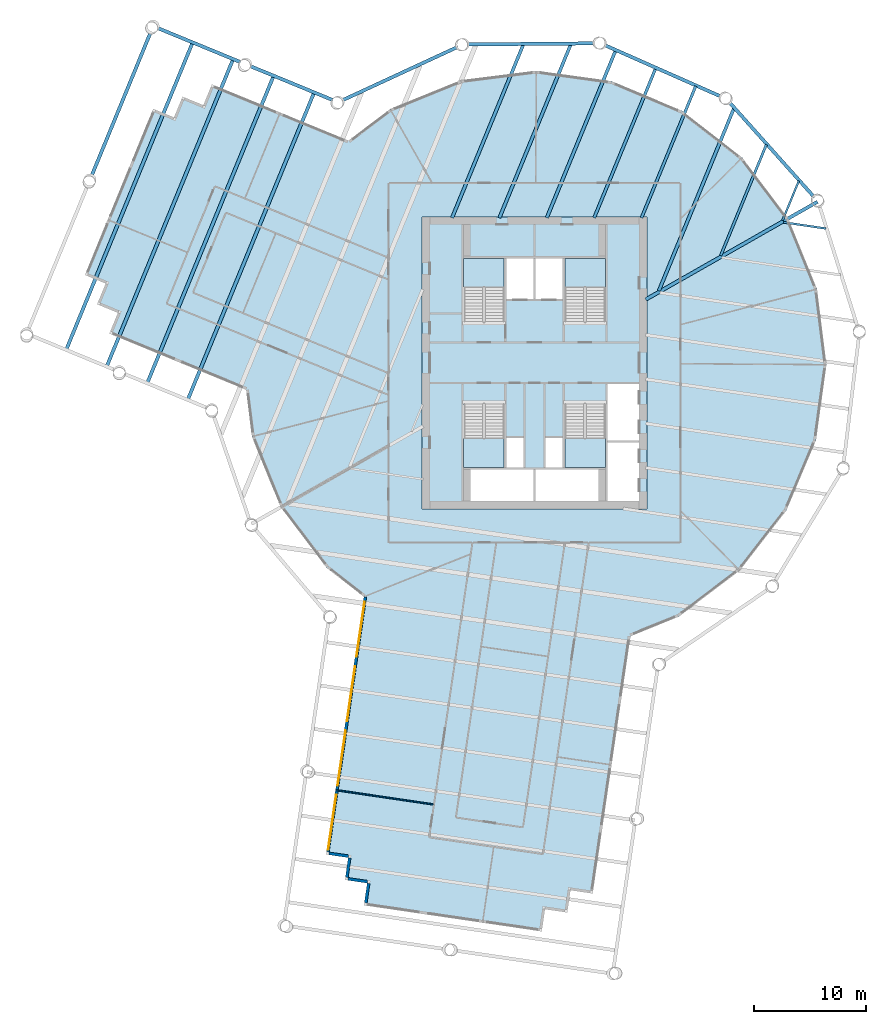
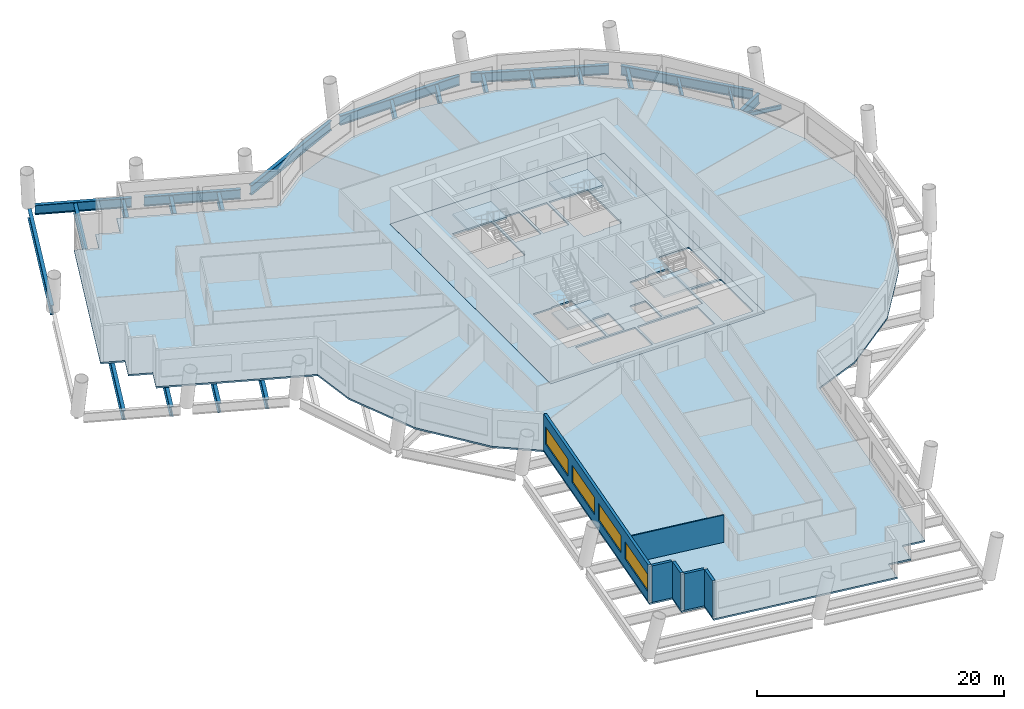
# One storey, part 2 of 11: 21 beams, 6 slabs, 6 walls, 4 windows, 4 openings, 4 elements without a shape of their own.
"""IFC4 building model written with IfcOpenShell, lengths in metres."""

from ifc_helpers import new_model, si_unit, direction, frame, frame_2d, origin, origin_2d, place, context, subcontext, project, spatial, polyline, rectangle, i_section, outline, extrude, material, layer, layer_set, material_profile, profile_set, type_object, element, fill, aggregate, save


model = new_model("IFC4")

# Units and contexts
model_context = context("Model", 3, precision=1e-05, world=origin(), true_north=direction((0.0, 1.0)))
body_context = subcontext(model_context, "Body", "Model", "MODEL_VIEW")
ifc_project = project(units=[si_unit("LENGTHUNIT", "METRE"), si_unit("AREAUNIT", "SQUARE_METRE"), si_unit("VOLUMEUNIT", "CUBIC_METRE"), si_unit("PLANEANGLEUNIT", "RADIAN"), si_unit("MASSUNIT", "GRAM", prefix="KILO")], contexts=[model_context])

# Site, building, storey
site_placement = place(None, origin())
site = spatial("IfcSite", under=ifc_project, at=site_placement, CompositionType="ELEMENT")
building_placement = place(site_placement, origin())
building = spatial("IfcBuilding", under=site, at=building_placement, Name="Tarsis Ring Headquarters", CompositionType="ELEMENT")
storey_placement = place(building_placement, frame((0.0, 0.0, 190.5)))
storey = spatial("IfcBuildingStorey", under=building, at=storey_placement, Name="L44", CompositionType="ELEMENT", Elevation=190.5)

# Beams
ifc_material_1 = material(Name="Structural steel S355", Category="steel")
ifc_material_profile_1 = material_profile(ifc_material_1, i_section(OverallWidth=0.177734375, OverallDepth=0.406494140625, WebThickness=0.0078125, FlangeThickness=0.0126953125, at=origin_2d()), Name="W16x40")
ifc_profile_set_1 = profile_set([ifc_material_profile_1], Name="Structural steel S355")
beam_type_1 = type_object("IfcBeamType", Name="FB Floor beam W16x40", PredefinedType="JOIST", material=ifc_profile_set_1)
beam_1_placement = place(storey_placement, frame((22.173095703125, 12.509033203125, -0.36328125), z_axis=(0.989375698039, -0.145381319743, 0.0), x_axis=(0.145381319743, 0.989375698039, 0.0)))
element("IfcBeam", 1, at=beam_1_placement, inside=storey, type_object=beam_type_1, Name="Floor beam FB1", PredefinedType="JOIST", context=body_context, shape_type="SweptSolid", body=[
    extrude(i_section(OverallWidth=0.177734375, OverallDepth=0.406494140625, WebThickness=0.0078125, FlangeThickness=0.0126953125, at=origin_2d()), origin(), (0.0, 0.0, 1.0), 3.805419921875),
])
beam_2_placement = place(storey_placement, frame((23.5283203125, 16.1904296875, -0.36328125), z_axis=(-0.380410940943, -0.92481755823, 0.0), x_axis=(0.92481755823, -0.380410940943, 0.0)))
element("IfcBeam", 2, at=beam_2_placement, inside=storey, type_object=beam_type_1, Name="Floor beam FB1", PredefinedType="JOIST", context=body_context, shape_type="SweptSolid", body=[
    extrude(i_section(OverallWidth=0.177734375, OverallDepth=0.406494140625, WebThickness=0.0078125, FlangeThickness=0.0126953125, at=origin_2d()), origin(), (0.0, 0.0, 1.0), 3.80517578125),
])
ifc_material_profile_2 = material_profile(ifc_material_1, i_section(OverallWidth=0.228271484375, OverallDepth=0.607177734375, WebThickness=0.01123046875, FlangeThickness=0.017333984375, at=origin_2d()), Name="W24x76")
ifc_profile_set_2 = profile_set([ifc_material_profile_2], Name="Structural steel S355")
beam_type_2 = type_object("IfcBeamType", Name="FB Floor beam W24x76", PredefinedType="JOIST", material=ifc_profile_set_2)
beam_3_placement = place(storey_placement, frame((20.6396484375, 19.419921875, -0.463623046875), z_axis=(-0.38042224854, -0.924812906925, 0.0), x_axis=(0.924812906925, -0.38042224854, 0.0)))
element("IfcBeam", 3, at=beam_3_placement, inside=storey, type_object=beam_type_2, Name="Floor beam FB4", PredefinedType="JOIST", context=body_context, shape_type="SweptSolid", body=[
    extrude(i_section(OverallWidth=0.228271484375, OverallDepth=0.607177734375, WebThickness=0.01123046875, FlangeThickness=0.017333984375, at=origin_2d()), origin(), (0.0, 0.0, 1.0), 10.684814453125),
])
ifc_material_profile_3 = material_profile(ifc_material_1, i_section(OverallWidth=0.2529296875, OverallDepth=0.67822265625, WebThickness=0.01171875, FlangeThickness=0.016357421875, at=origin_2d()), Name="W27x84")
ifc_profile_set_3 = profile_set([ifc_material_profile_3], Name="Structural steel S355")
beam_type_3 = type_object("IfcBeamType", Name="FB Floor beam W27x84", PredefinedType="JOIST", material=ifc_profile_set_3)
beam_4_placement = place(storey_placement, frame((14.353271484375, 24.641357421875, -0.4990234375), z_axis=(-0.380416857615, -0.924815124467, 0.0), x_axis=(0.924815124467, -0.380416857615, 0.0)))
element("IfcBeam", 4, at=beam_4_placement, inside=storey, type_object=beam_type_3, Name="Floor beam FB5", PredefinedType="JOIST", context=body_context, shape_type="SweptSolid", body=[
    extrude(i_section(OverallWidth=0.2529296875, OverallDepth=0.67822265625, WebThickness=0.01171875, FlangeThickness=0.016357421875, at=origin_2d()), origin(), (0.0, 0.0, 1.0), 12.687744140625),
])
ifc_material_profile_4 = material_profile(ifc_material_1, i_section(OverallWidth=0.2666015625, OverallDepth=0.7568359375, WebThickness=0.013916015625, FlangeThickness=0.019287109375, at=origin_2d()), Name="W30x108")
ifc_profile_set_4 = profile_set([ifc_material_profile_4], Name="Structural steel S355")
beam_type_4 = type_object("IfcBeamType", Name="FB Floor beam W30x108", PredefinedType="JOIST", material=ifc_profile_set_4)
beam_5_placement = place(storey_placement, frame((10.78515625, 26.218505859375, -0.538330078125), z_axis=(-0.380427300344, -0.924810828847, 0.0), x_axis=(0.924810828847, -0.380427300344, 0.0)))
element("IfcBeam", 5, at=beam_5_placement, inside=storey, type_object=beam_type_4, Name="Floor beam FB6", PredefinedType="JOIST", context=body_context, shape_type="SweptSolid", body=[
    extrude(i_section(OverallWidth=0.2666015625, OverallDepth=0.7568359375, WebThickness=0.013916015625, FlangeThickness=0.019287109375, at=origin_2d()), origin(), (0.0, 0.0, 1.0), 14.393310546875),
])
ifc_material_profile_5 = material_profile(ifc_material_1, i_section(OverallWidth=0.2919921875, OverallDepth=0.835693359375, WebThickness=0.013916015625, FlangeThickness=0.018798828125, at=origin_2d()), Name="W33x118")
ifc_profile_set_5 = profile_set([ifc_material_profile_5], Name="Structural steel S355")
beam_type_5 = type_object("IfcBeamType", Name="FB Floor beam W33x118", PredefinedType="JOIST", material=ifc_profile_set_5)
beam_6_placement = place(storey_placement, frame((17.7509765625, 22.6494140625, -0.577880859375), z_axis=(-0.3804128099, -0.924816789458, 0.0), x_axis=(0.924816789458, -0.3804128099, 0.0)))
element("IfcBeam", 6, at=beam_6_placement, inside=storey, type_object=beam_type_5, Name="Floor beam FB7", PredefinedType="JOIST", context=body_context, shape_type="SweptSolid", body=[
    extrude(i_section(OverallWidth=0.2919921875, OverallDepth=0.835693359375, WebThickness=0.013916015625, FlangeThickness=0.018798828125, at=origin_2d()), origin(), (0.0, 0.0, 1.0), 17.564208984375),
])
beam_7_placement = place(storey_placement, frame((7.216796875, 27.795654296875, -0.577880859375), z_axis=(-0.380422560034, -0.924812778792, 0.0), x_axis=(0.924812778792, -0.380422560034, 0.0)))
element("IfcBeam", 7, at=beam_7_placement, inside=storey, type_object=beam_type_5, Name="Floor beam FB7", PredefinedType="JOIST", context=body_context, shape_type="SweptSolid", body=[
    extrude(i_section(OverallWidth=0.2919921875, OverallDepth=0.835693359375, WebThickness=0.013916015625, FlangeThickness=0.018798828125, at=origin_2d()), origin(), (0.0, 0.0, 1.0), 16.0986328125),
])
beam_8_placement = place(storey_placement, frame((3.232666015625, 28.36181640625, -0.577880859375), z_axis=(-0.380423525743, -0.924812381546, 0.0), x_axis=(0.924812381546, -0.380423525743, 0.0)))
element("IfcBeam", 8, at=beam_8_placement, inside=storey, type_object=beam_type_5, Name="Floor beam FB7", PredefinedType="JOIST", context=body_context, shape_type="SweptSolid", body=[
    extrude(i_section(OverallWidth=0.2919921875, OverallDepth=0.835693359375, WebThickness=0.013916015625, FlangeThickness=0.018798828125, at=origin_2d()), origin(), (0.0, 0.0, 1.0), 16.710693359375),
])
beam_9_placement = place(storey_placement, frame((-0.99951171875, 28.3251953125, -0.577880859375), z_axis=(-0.380419803488, -0.924813912695, 0.0), x_axis=(0.924813912695, -0.380419803488, 0.0)))
element("IfcBeam", 9, at=beam_9_placement, inside=storey, type_object=beam_type_5, Name="Floor beam FB7", PredefinedType="JOIST", context=body_context, shape_type="SweptSolid", body=[
    extrude(i_section(OverallWidth=0.2919921875, OverallDepth=0.835693359375, WebThickness=0.013916015625, FlangeThickness=0.018798828125, at=origin_2d()), origin(), (0.0, 0.0, 1.0), 16.671142578125),
])
ifc_material_profile_6 = material_profile(ifc_material_1, i_section(OverallWidth=0.309814453125, OverallDepth=0.949951171875, WebThickness=0.0244140625, FlangeThickness=0.0439453125, at=origin_2d()), Name="W36x256")
ifc_profile_set_6 = profile_set([ifc_material_profile_6], Name="Structural steel S355")
beam_type_6 = type_object("IfcBeamType", Name="FB Floor beam W36x256", PredefinedType="JOIST", material=ifc_profile_set_6)
for number, where, z_axis, x_axis, name in (
    (10, (-19.637939453125, 24.02197265625, -0.635009765625), (-0.380425416232, -0.924811603887, 0.0), (0.924811603887, -0.380425416232, 0.0), "Floor beam FB11"),
    (11, (-23.24462890625, 25.505615234375, -0.635009765625), (-0.380432496824, -0.924808691222, 0.0), (0.924808691222, -0.380432496824, 0.0), "Floor beam FB11"),
    (12, (-26.8515625, 26.9892578125, -0.635009765625), (-0.380425416232, -0.924811603887, 0.0), (0.924811603887, -0.380425416232, 0.0), "Floor beam FB11"),
    (13, (-30.458251953125, 28.472900390625, -0.635009765625), (-0.380425416232, -0.924811603887, 0.0), (0.924811603887, -0.380425416232, 0.0), "Floor beam FB11"),
):
    element("IfcBeam", number, at=place(storey_placement, frame(where, z_axis=z_axis, x_axis=x_axis)), inside=storey, type_object=beam_type_6, Name=name, PredefinedType="JOIST", context=body_context, shape_type="SweptSolid", body=[
        extrude(i_section(OverallWidth=0.309814453125, OverallDepth=0.949951171875, WebThickness=0.0244140625, FlangeThickness=0.0439453125, at=origin_2d()), origin(), (0.0, 0.0, 1.0), 29.489990234375),
    ])
beam_type_7 = type_object("IfcBeamType", Name="FB Floor beam W36x256 spine", PredefinedType="BEAM", material=ifc_profile_set_6)
beam_10_placement = place(storey_placement, frame((25.196533203125, 14.3369140625, -0.635009765625), z_axis=(-0.869150764633, -0.494547215479, 0.0), x_axis=(0.494547215479, -0.869150764633, 0.0)))
element("IfcBeam", 14, at=beam_10_placement, inside=storey, type_object=beam_type_7, Name="Floor beam SB11", PredefinedType="BEAM", context=body_context, shape_type="SweptSolid", body=[
    extrude(i_section(OverallWidth=0.309814453125, OverallDepth=0.949951171875, WebThickness=0.0244140625, FlangeThickness=0.0439453125, at=origin_2d()), origin(), (0.0, 0.0, 1.0), 17.584228515625),
])
beam_type_8 = type_object("IfcBeamType", Name="XG Ring girder W36x256", PredefinedType="BEAM", material=ifc_profile_set_6)
beam_11_placement = place(storey_placement, frame((24.912109375, 14.74072265625, -0.47509765625), z_axis=(-0.666674883327, 0.745348643214, 0.0), x_axis=(-0.745348643214, -0.666674883327, 0.0)))
element("IfcBeam", 15, at=beam_11_placement, inside=storey, type_object=beam_type_8, Name="Ring girder XG2", PredefinedType="BEAM", context=body_context, shape_type="SweptSolid", body=[
    extrude(i_section(OverallWidth=0.309814453125, OverallDepth=0.949951171875, WebThickness=0.0244140625, FlangeThickness=0.0439453125, at=origin_2d()), origin(), (0.0, 0.0, 1.0), 11.242919921875),
])
beam_12_placement = place(storey_placement, frame((16.62158203125, 23.69873046875, -0.47509765625), z_axis=(-0.914635258202, 0.404280032222, 0.0), x_axis=(-0.404280032222, -0.914635258202, 0.0)))
element("IfcBeam", 16, at=beam_12_placement, inside=storey, type_object=beam_type_8, Name="Ring girder XG2", PredefinedType="BEAM", context=body_context, shape_type="SweptSolid", body=[
    extrude(i_section(OverallWidth=0.309814453125, OverallDepth=0.949951171875, WebThickness=0.0244140625, FlangeThickness=0.0439453125, at=origin_2d()), origin(), (0.0, 0.0, 1.0), 11.2431640625),
])
beam_13_placement = place(storey_placement, frame((5.375244140625, 28.443115234375, -0.47509765625), z_axis=(-0.999962463745, -0.008664358032, 0.0), x_axis=(0.008664358032, -0.999962463745, 0.0)))
element("IfcBeam", 17, at=beam_13_placement, inside=storey, type_object=beam_type_8, Name="Ring girder XG2", PredefinedType="BEAM", context=body_context, shape_type="SweptSolid", body=[
    extrude(i_section(OverallWidth=0.309814453125, OverallDepth=0.949951171875, WebThickness=0.0244140625, FlangeThickness=0.0439453125, at=origin_2d()), origin(), (0.0, 0.0, 1.0), 11.242919921875),
])
beam_14_placement = place(storey_placement, frame((-6.826416015625, 28.130126953125, -0.47509765625), z_axis=(-0.907501245344, -0.420049389595, 0.0), x_axis=(0.420049389595, -0.907501245344, 0.0)))
element("IfcBeam", 18, at=beam_14_placement, inside=storey, type_object=beam_type_8, Name="Ring girder XG2", PredefinedType="BEAM", context=body_context, shape_type="SweptSolid", body=[
    extrude(i_section(OverallWidth=0.309814453125, OverallDepth=0.949951171875, WebThickness=0.0244140625, FlangeThickness=0.0439453125, at=origin_2d()), origin(), (0.0, 0.0, 1.0), 11.2431640625),
])
for number, where, z_axis, x_axis, name in (
    (19, (-17.950927734375, 23.387451171875, -0.47509765625), (-0.924816344779, 0.380413890952, 0.0), (-0.380413890952, -0.924816344779, 0.0), "Ring girder XG2"),
    (20, (-26.183837890625, 26.774169921875, -0.47509765625), (-0.924816344779, 0.380413890952, 0.0), (-0.380413890952, -0.924816344779, 0.0), "Ring girder XG2"),
):
    element("IfcBeam", number, at=place(storey_placement, frame(where, z_axis=z_axis, x_axis=x_axis)), inside=storey, type_object=beam_type_8, Name=name, PredefinedType="BEAM", context=body_context, shape_type="SweptSolid", body=[
        extrude(i_section(OverallWidth=0.309814453125, OverallDepth=0.949951171875, WebThickness=0.0244140625, FlangeThickness=0.0439453125, at=origin_2d()), origin(), (0.0, 0.0, 1.0), 7.896484375),
    ])
beam_15_placement = place(storey_placement, frame((-34.14306640625, 29.50439453125, -0.47509765625), z_axis=(-0.380417745164, -0.924814759378, 0.0), x_axis=(0.924814759378, -0.380417745164, 0.0)))
element("IfcBeam", 21, at=beam_15_placement, inside=storey, type_object=beam_type_8, Name="Ring girder XG2", PredefinedType="BEAM", context=body_context, shape_type="SweptSolid", body=[
    extrude(i_section(OverallWidth=0.309814453125, OverallDepth=0.949951171875, WebThickness=0.0244140625, FlangeThickness=0.0439453125, at=origin_2d()), origin(), (0.0, 0.0, 1.0), 13.794189453125),
])

# Slab
ifc_material_2 = material(Name="Concrete C40/50", Category="concrete")
ifc_layer_1 = layer(ifc_material_2, 0.159912109375)
ifc_layer_set_1 = layer_set([ifc_layer_1], Name="Core floor slab 160 C40/50")
slab_type_1 = type_object("IfcSlabType", Name="Core floor slab 160 C40/50", PredefinedType="FLOOR", material=ifc_layer_set_1)
slab_1_placement = place(storey_placement, frame((0.0, 0.0, -0.159912109375)))
element("IfcSlab", 22, at=slab_1_placement, inside=storey, type_object=slab_type_1, Name="L44 core floor slab", PredefinedType="FLOOR", context=body_context, shape_type="SweptSolid", body=[
    extrude(outline(polyline([(-10.0, -13.0), (10.0, -13.0), (10.0, 13.0), (-10.0, 13.0), (-10.0, -13.0)]), holes=[polyline([(-2.5, 5.699951171875), (-0.10009765625, 5.699951171875), (-0.10009765625, 9.300048828125), (-2.5, 9.300048828125), (-2.5, 5.699951171875)]), polyline([(0.10009765625, 5.699951171875), (2.5, 5.699951171875), (2.5, 9.300048828125), (0.10009765625, 9.300048828125), (0.10009765625, 5.699951171875)]), polyline([(6.5, -12.300048828125), (9.300048828125, -12.300048828125), (9.300048828125, -7.10009765625), (6.5, -7.10009765625), (6.5, -12.300048828125)]), polyline([(6.5, -6.89990234375), (9.300048828125, -6.89990234375), (9.300048828125, -1.89990234375), (6.5, -1.89990234375), (6.5, -6.89990234375)]), polyline([(-5.699951171875, -12.300048828125), (-0.10009765625, -12.300048828125), (-0.10009765625, -9.5), (-5.699951171875, -9.5), (-5.699951171875, -12.300048828125)]), polyline([(0.10009765625, -12.300048828125), (5.699951171875, -12.300048828125), (5.699951171875, -9.5), (0.10009765625, -9.5), (0.10009765625, -12.300048828125)]), polyline([(-2.5, -9.300048828125), (-1.0, -9.300048828125), (-1.0, -6.699951171875), (-2.5, -6.699951171875), (-2.5, -9.300048828125)]), polyline([(1.0, -9.300048828125), (2.5, -9.300048828125), (2.5, -6.699951171875), (1.0, -6.699951171875), (1.0, -9.300048828125)]), polyline([(-2.699951171875, 3.760009765625), (-2.699951171875, 9.300048828125), (-6.300048828125, 9.300048828125), (-6.300048828125, 3.659912109375), (-4.4599609375, 3.659912109375), (-4.4599609375, 3.760009765625), (-2.699951171875, 3.760009765625)]), polyline([(6.300048828125, 3.760009765625), (6.300048828125, 9.300048828125), (2.699951171875, 9.300048828125), (2.699951171875, 3.659912109375), (4.5400390625, 3.659912109375), (4.5400390625, 3.760009765625), (6.300048828125, 3.760009765625)]), polyline([(-6.300048828125, -3.760009765625), (-6.300048828125, -9.300048828125), (-2.699951171875, -9.300048828125), (-2.699951171875, -3.659912109375), (-4.5400390625, -3.659912109375), (-4.5400390625, -3.760009765625), (-6.300048828125, -3.760009765625)]), polyline([(2.699951171875, -3.760009765625), (2.699951171875, -9.300048828125), (6.300048828125, -9.300048828125), (6.300048828125, -3.659912109375), (4.4599609375, -3.659912109375), (4.4599609375, -3.760009765625), (2.699951171875, -3.760009765625)])]), origin(), (0.0, 0.0, 1.0), 0.159912109375),
])

# Stair, slab
ifc_material_3 = material(Name="Core stair 1760")
stair_type = type_object("IfcStairType", Name="Core stair 1760", PredefinedType="HALF_TURN_STAIR", material=ifc_material_3)
stair_1_placement = place(storey_placement, origin())
stair_1 = element("IfcStair", 23, at=stair_1_placement, inside=storey, type_object=stair_type, Name="L44 Firefighting stair", PredefinedType="HALF_TURN_STAIR")
ifc_layer_2 = layer(ifc_material_2, 0.199951171875)
ifc_layer_set_2 = layer_set([ifc_layer_2], Name="Core stair landing 200")
slab_type_2 = type_object("IfcSlabType", Name="Core stair landing 200", PredefinedType="LANDING", material=ifc_layer_set_2)
slab_2_placement = place(storey_placement, frame((0.0, 0.0, 1.75)))
slab_2 = element("IfcSlab", 24, at=slab_2_placement, type_object=slab_type_2, Name="Stair ST1 landing 1", PredefinedType="LANDING", context=body_context, shape_type="SweptSolid", body=[
    extrude(outline(polyline([(-2.699951171875, 6.739990234375), (-2.699951171875, 9.300048828125), (-6.300048828125, 9.300048828125), (-6.300048828125, 6.739990234375), (-2.699951171875, 6.739990234375)])), origin(), (0.0, 0.0, 1.0), 0.199951171875),
])
aggregate(stair_1, [slab_2])

stair_2_placement = place(storey_placement, origin())
stair_2 = element("IfcStair", 25, at=stair_2_placement, inside=storey, type_object=stair_type, Name="L44 Exit stair B", PredefinedType="HALF_TURN_STAIR")
slab_3_placement = place(storey_placement, frame((0.0, 0.0, 1.75)))
slab_3 = element("IfcSlab", 26, at=slab_3_placement, type_object=slab_type_2, Name="Stair ST2 landing 1", PredefinedType="LANDING", context=body_context, shape_type="SweptSolid", body=[
    extrude(outline(polyline([(6.300048828125, 6.739990234375), (6.300048828125, 9.300048828125), (2.699951171875, 9.300048828125), (2.699951171875, 6.739990234375), (6.300048828125, 6.739990234375)])), origin(), (0.0, 0.0, 1.0), 0.199951171875),
])
aggregate(stair_2, [slab_3])

stair_3_placement = place(storey_placement, origin())
stair_3 = element("IfcStair", 27, at=stair_3_placement, inside=storey, type_object=stair_type, Name="L44 Exit stair C", PredefinedType="HALF_TURN_STAIR")
slab_4_placement = place(storey_placement, frame((0.0, 0.0, 1.75)))
slab_4 = element("IfcSlab", 28, at=slab_4_placement, type_object=slab_type_2, Name="Stair ST3 landing 1", PredefinedType="LANDING", context=body_context, shape_type="SweptSolid", body=[
    extrude(outline(polyline([(-6.300048828125, -6.739990234375), (-6.300048828125, -9.300048828125), (-2.699951171875, -9.300048828125), (-2.699951171875, -6.739990234375), (-6.300048828125, -6.739990234375)])), origin(), (0.0, 0.0, 1.0), 0.199951171875),
])
aggregate(stair_3, [slab_4])

stair_4_placement = place(storey_placement, origin())
stair_4 = element("IfcStair", 29, at=stair_4_placement, inside=storey, type_object=stair_type, Name="L44 Exit stair D", PredefinedType="HALF_TURN_STAIR")
slab_5_placement = place(storey_placement, frame((0.0, 0.0, 1.75)))
slab_5 = element("IfcSlab", 30, at=slab_5_placement, type_object=slab_type_2, Name="Stair ST4 landing 1", PredefinedType="LANDING", context=body_context, shape_type="SweptSolid", body=[
    extrude(outline(polyline([(2.699951171875, -6.739990234375), (2.699951171875, -9.300048828125), (6.300048828125, -9.300048828125), (6.300048828125, -6.739990234375), (2.699951171875, -6.739990234375)])), origin(), (0.0, 0.0, 1.0), 0.199951171875),
])
aggregate(stair_4, [slab_5])

# Slab
ifc_material_4 = material(Name="Concrete C35/45", Category="concrete")
ifc_layer_3 = layer(ifc_material_4, 0.159912109375)
ifc_layer_set_3 = layer_set([ifc_layer_3], Name="FS Composite floor slab 160")
slab_type_3 = type_object("IfcSlabType", Name="FS Composite floor slab 160", PredefinedType="FLOOR", material=ifc_layer_set_3)
slab_6_placement = place(storey_placement, frame((0.0, 0.0, -0.159912109375)))
element("IfcSlab", 31, at=slab_6_placement, inside=storey, type_object=slab_type_3, Name="Floor slab L44", PredefinedType="FLOOR", context=body_context, shape_type="SweptSolid", body=[
    extrude(outline(polyline([(-25.6767578125, -2.413330078125), (-25.15576171875, -6.5712890625), (-22.597900390625, -12.858154296875), (-18.5, -18.268798828125), (-15.19140625, -20.8408203125), (-18.560546875, -43.7666015625), (-16.581787109375, -44.057373046875), (-16.87255859375, -46.0361328125), (-14.893798828125, -46.326904296875), (-15.1845703125, -48.3056640625), (0.645263671875, -50.6318359375), (0.936279296875, -48.653076171875), (2.914794921875, -48.94384765625), (3.205810546875, -46.965087890625), (5.184326171875, -47.255859375), (8.550537109375, -24.3505859375), (12.858154296875, -22.597900390625), (18.268798828125, -18.5), (22.4345703125, -13.14111328125), (25.0712890625, -6.886962890625), (25.99951171875, -0.163330078125), (25.15576171875, 6.5712890625), (22.597900390625, 12.858154296875), (18.5, 18.268798828125), (13.14111328125, 22.4345703125), (6.886962890625, 25.0712890625), (0.163330078125, 25.99951171875), (-6.5712890625, 25.15576171875), (-12.858154296875, 22.597900390625), (-16.565673828125, 19.7900390625), (-28.72802734375, 24.79296875), (-29.489013671875, 22.943359375), (-31.338623046875, 23.704345703125), (-32.099365234375, 21.854736328125), (-33.948974609375, 22.615478515625), (-40.035888671875, 7.818603515625), (-38.186279296875, 7.0576171875), (-38.947021484375, 5.2080078125), (-37.097412109375, 4.447265625), (-37.8583984375, 2.59765625), (-25.6767578125, -2.413330078125)]), holes=[polyline([(-10.0, -13.0), (-10.0, 13.0), (10.0, 13.0), (10.0, -13.0), (-10.0, -13.0)])]), origin(), (0.0, 0.0, 1.0), 0.159912109375),
])

# Wall
ifc_material_5 = material(Name="Gypsum board on steel studs", Category="steel")
ifc_layer_4 = layer(ifc_material_5, 0.10009765625)
ifc_layer_set_4 = layer_set([ifc_layer_4], Name="FL partition 100 unrated")
wall_type_1 = type_object("IfcWallType", Name="FL partition 100 unrated", PredefinedType="PARTITIONING", material=ifc_layer_set_4)
wall_1_placement = place(storey_placement, frame((-17.669189453125, -38.04541015625, 0.0), z_axis=(0.0, 0.0, 1.0), x_axis=(0.989377340499, -0.145370141735, 0.0)))
element("IfcWall", 32, at=wall_1_placement, inside=storey, type_object=wall_type_1, Name="Partition PW3", PredefinedType="PARTITIONING", context=body_context, shape_type="SweptSolid", body=[
    extrude(rectangle(XDim=8.73974609375, YDim=0.10009765625, at=frame_2d((4.369873046875, 0.0))), origin(), (0.0, 0.0, 1.0), 2.699951171875),
])

# Wall, openings, windows
ifc_material_6 = material(Name="Terracotta clad insulated panel wall", Category="masonry")
ifc_layer_5 = layer(ifc_material_6, 0.25)
ifc_layer_set_5 = layer_set([ifc_layer_5], Name="Facade wall terracotta panel 250")
wall_type_2 = type_object("IfcWallType", Name="Facade wall terracotta panel 250", PredefinedType="STANDARD", material=ifc_layer_set_5)
wall_2_placement = place(storey_placement, frame((-15.06787109375, -20.85888671875, 0.0), z_axis=(0.0, 0.0, 1.0), x_axis=(-0.145395561305, -0.989373605244, 0.0)))
wall_2 = element("IfcWall", 33, at=wall_2_placement, inside=storey, type_object=wall_type_2, Name="External wall L44-06", PredefinedType="STANDARD", context=body_context, shape_type="SweptSolid", body=[
    extrude(rectangle(XDim=22.922119140625, YDim=0.25, at=frame_2d((11.4609375, 0.0))), origin(), (0.0, 0.0, 1.0), 3.60009765625),
])
opening_1_placement = place(wall_2_placement, frame((0.42138671875, 0.0, 0.89990234375)))
opening_1 = element("IfcOpeningElement", 34, at=opening_1_placement, cuts=wall_2, Name="Opening WN05", PredefinedType="OPENING", context=body_context, shape_type="SweptSolid", body=[
    extrude(rectangle(XDim=4.949951171875, YDim=1.699951171875, at=frame_2d((2.47509765625, 0.85009765625))), frame((0.0, 0.135009765625, 0.0), z_axis=(0.0, -1.0, 0.0), x_axis=(1.0, 0.0, 0.0)), (0.0, 0.0, 1.0), 0.27001953125),
])
opening_2_placement = place(wall_2_placement, frame((6.214599609375, 0.0, 0.89990234375)))
opening_2 = element("IfcOpeningElement", 35, at=opening_2_placement, cuts=wall_2, Name="Opening WN05", PredefinedType="OPENING", context=body_context, shape_type="SweptSolid", body=[
    extrude(rectangle(XDim=4.949951171875, YDim=1.699951171875, at=frame_2d((2.47509765625, 0.85009765625))), frame((0.0, 0.135009765625, 0.0), z_axis=(0.0, -1.0, 0.0), x_axis=(1.0, 0.0, 0.0)), (0.0, 0.0, 1.0), 0.27001953125),
])
opening_3_placement = place(wall_2_placement, frame((12.007568359375, 0.0, 0.89990234375)))
opening_3 = element("IfcOpeningElement", 36, at=opening_3_placement, cuts=wall_2, Name="Opening WN05", PredefinedType="OPENING", context=body_context, shape_type="SweptSolid", body=[
    extrude(rectangle(XDim=4.949951171875, YDim=1.699951171875, at=frame_2d((2.47509765625, 0.85009765625))), frame((0.0, 0.135009765625, 0.0), z_axis=(0.0, -1.0, 0.0), x_axis=(1.0, 0.0, 0.0)), (0.0, 0.0, 1.0), 0.27001953125),
])
opening_4_placement = place(wall_2_placement, frame((17.800537109375, 0.0, 0.89990234375)))
opening_4 = element("IfcOpeningElement", 37, at=opening_4_placement, cuts=wall_2, Name="Opening WN05", PredefinedType="OPENING", context=body_context, shape_type="SweptSolid", body=[
    extrude(rectangle(XDim=4.949951171875, YDim=1.699951171875, at=frame_2d((2.47509765625, 0.85009765625))), frame((0.0, 0.135009765625, 0.0), z_axis=(0.0, -1.0, 0.0), x_axis=(1.0, 0.0, 0.0)), (0.0, 0.0, 1.0), 0.27001953125),
])
ifc_material_7 = material(Name="Aluminium framed double glazing", Category="aluminium")
window_type = type_object("IfcWindowType", Name="Facade window 4950 x 1700", PartitioningType="SINGLE_PANEL", PredefinedType="WINDOW", material=ifc_material_7)
window_1_placement = place(opening_1_placement, origin())
window_1 = element("IfcWindow", 38, at=window_1_placement, inside=storey, type_object=window_type, Name="Window L44-06.1", OverallHeight=1.699951171875, OverallWidth=4.949951171875, PartitioningType="SINGLE_PANEL", PredefinedType="WINDOW", context=body_context, shape_type="SweptSolid", body=[
    extrude(rectangle(XDim=4.949951171875, YDim=1.699951171875, at=frame_2d((2.47509765625, 0.85009765625))), frame((0.0, 0.030029296875, 0.0), z_axis=(0.0, -1.0, 0.0), x_axis=(1.0, 0.0, 0.0)), (0.0, 0.0, 1.0), 0.06005859375),
])
fill(opening_1, window_1)
window_2_placement = place(opening_2_placement, origin())
window_2 = element("IfcWindow", 39, at=window_2_placement, inside=storey, type_object=window_type, Name="Window L44-06.2", OverallHeight=1.699951171875, OverallWidth=4.949951171875, PartitioningType="SINGLE_PANEL", PredefinedType="WINDOW", context=body_context, shape_type="SweptSolid", body=[
    extrude(rectangle(XDim=4.949951171875, YDim=1.699951171875, at=frame_2d((2.47509765625, 0.85009765625))), frame((0.0, 0.030029296875, 0.0), z_axis=(0.0, -1.0, 0.0), x_axis=(1.0, 0.0, 0.0)), (0.0, 0.0, 1.0), 0.06005859375),
])
fill(opening_2, window_2)
window_3_placement = place(opening_3_placement, origin())
window_3 = element("IfcWindow", 40, at=window_3_placement, inside=storey, type_object=window_type, Name="Window L44-06.3", OverallHeight=1.699951171875, OverallWidth=4.949951171875, PartitioningType="SINGLE_PANEL", PredefinedType="WINDOW", context=body_context, shape_type="SweptSolid", body=[
    extrude(rectangle(XDim=4.949951171875, YDim=1.699951171875, at=frame_2d((2.47509765625, 0.85009765625))), frame((0.0, 0.030029296875, 0.0), z_axis=(0.0, -1.0, 0.0), x_axis=(1.0, 0.0, 0.0)), (0.0, 0.0, 1.0), 0.06005859375),
])
fill(opening_3, window_3)
window_4_placement = place(opening_4_placement, origin())
window_4 = element("IfcWindow", 41, at=window_4_placement, inside=storey, type_object=window_type, Name="Window L44-06.4", OverallHeight=1.699951171875, OverallWidth=4.949951171875, PartitioningType="SINGLE_PANEL", PredefinedType="WINDOW", context=body_context, shape_type="SweptSolid", body=[
    extrude(rectangle(XDim=4.949951171875, YDim=1.699951171875, at=frame_2d((2.47509765625, 0.85009765625))), frame((0.0, 0.030029296875, 0.0), z_axis=(0.0, -1.0, 0.0), x_axis=(1.0, 0.0, 0.0)), (0.0, 0.0, 1.0), 0.06005859375),
])
fill(opening_4, window_4)

# Walls
wall_3_placement = place(storey_placement, frame((-18.294921875, -43.67919921875, 0.0), z_axis=(0.0, 0.0, 1.0), x_axis=(0.989375078563, -0.145385535448, 0.0)))
element("IfcWall", 42, at=wall_3_placement, inside=storey, type_object=wall_type_2, Name="External wall L44-07", PredefinedType="STANDARD", context=body_context, shape_type="SweptSolid", body=[
    extrude(rectangle(XDim=1.749755859375, YDim=0.25, at=frame_2d((0.875, 0.0))), origin(), (0.0, 0.0, 1.0), 3.60009765625),
])
for number, where, z_axis, x_axis, name in (
    (43, (-16.4580078125, -44.075439453125, 0.0), (0.0, 0.0, 1.0), (-0.145502022861, -0.989357954101, 0.0), "External wall L44-08"),
    (44, (-16.607177734375, -45.94873046875, 0.0), (0.0, 0.0, 1.0), (0.989378027096, -0.14536546873, 0.0), "External wall L44-09"),
    (45, (-14.770263671875, -46.344970703125, 0.0), (0.0, 0.0, 1.0), (-0.14536546873, -0.989378027096, 0.0), "External wall L44-10"),
):
    element("IfcWall", number, at=place(storey_placement, frame(where, z_axis=z_axis, x_axis=x_axis)), inside=storey, type_object=wall_type_2, Name=name, PredefinedType="STANDARD", context=body_context, shape_type="SweptSolid", body=[
        extrude(rectangle(XDim=1.75, YDim=0.25, at=frame_2d((0.875, 0.0))), origin(), (0.0, 0.0, 1.0), 3.60009765625),
    ])

save(model, "model.ifc")
